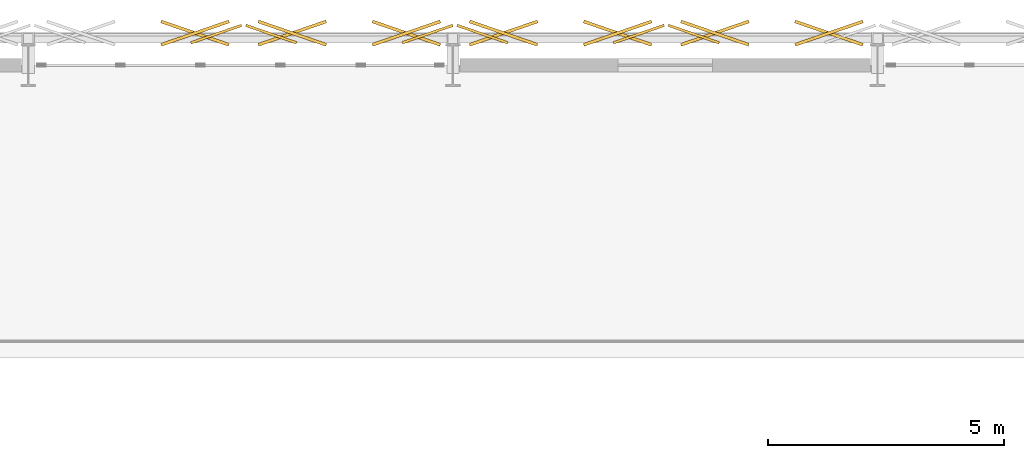
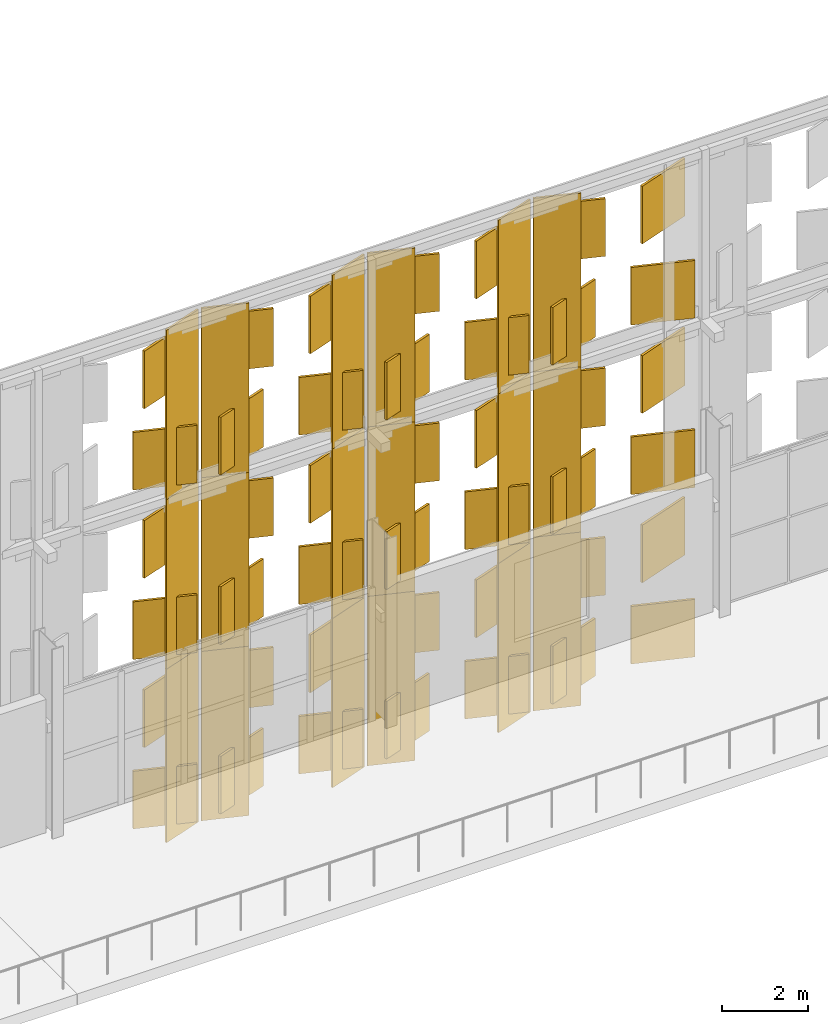
# One storey, part 198 of 210: 60 coverings.
"""IFC4 building model written with IfcOpenShell, lengths in metres."""

from ifc_helpers import new_model, si_unit, direction, frame, origin, origin_2d, place, context, subcontext, project, spatial, rectangle, extrude, material, layer, layer_set, type_object, element, save


model = new_model("IFC4")

# Units and contexts
model_context = context("Model", 3, precision=1e-05, world=origin(), true_north=direction((0.0, 1.0)))
body_context = subcontext(model_context, "Body", "Model", "MODEL_VIEW")
ifc_project = project(units=[si_unit("LENGTHUNIT", "METRE"), si_unit("AREAUNIT", "SQUARE_METRE"), si_unit("VOLUMEUNIT", "CUBIC_METRE"), si_unit("PLANEANGLEUNIT", "RADIAN"), si_unit("MASSUNIT", "GRAM", prefix="KILO")], contexts=[model_context])

# Site, building, storey
site_placement = place(None, origin())
site = spatial("IfcSite", under=ifc_project, at=site_placement, CompositionType="ELEMENT")
building_placement = place(site_placement, origin())
building = spatial("IfcBuilding", under=site, at=building_placement, Name="Kaldris Quays Convention Centre", CompositionType="ELEMENT")
storey_placement = place(building_placement, frame((0.0, 0.0, 6.0)))
storey = spatial("IfcBuildingStorey", under=building, at=storey_placement, Name="L01", CompositionType="ELEMENT", Elevation=6.0)

# Coverings
ifc_material = material(Name="Alabaster white star-pierced anodized aluminium panel", Category="aluminium")
ifc_layer = layer(ifc_material, 0.044921875)
ifc_layer_set = layer_set([ifc_layer], Name="Alabaster white star-pierced anodized aluminium panel")
covering_type = type_object("IfcCoveringType", Name="STAR PIERCED WHITE FOLDED SCREEN CL01", PredefinedType="CLADDING", material=ifc_layer_set)
covering_1_placement = place(storey_placement, frame((68.982177734375, 140.659912109375, -1.91015625), z_axis=(0.0, 0.0, 1.0), x_axis=(0.945518575599, 0.325568154457, 0.0)))
element("IfcCovering", 1, at=covering_1_placement, inside=storey, type_object=covering_type, Name="V1N Folded White Screen Stile 752", PredefinedType="CLADDING", context=body_context, shape_type="SweptSolid", body=[
    extrude(rectangle(XDim=1.136962890625, YDim=0.054931640625, at=origin_2d()), origin(), (0.0, 0.0, 1.0), 4.952880859375),
])
for number, where, z_axis, x_axis, name in (
    (2, (68.5341796875, 140.679931640625, -1.559814453125), (0.0, 0.0, 1.0), (0.945518575599, -0.325568154457, 0.0), "V1N Carved Star Corner Facet 755"),
    (3, (68.5341796875, 140.679931640625, 1.0498046875), (0.0, 0.0, 1.0), (0.945518575599, 0.325568154457, 0.0), "V1N Carved Star Corner Facet 756"),
):
    element("IfcCovering", number, at=place(storey_placement, frame(where, z_axis=z_axis, x_axis=x_axis)), inside=storey, type_object=covering_type, Name=name, PredefinedType="CLADDING", context=body_context, shape_type="SweptSolid", body=[
        extrude(rectangle(XDim=1.52294921875, YDim=0.06494140625, at=origin_2d()), origin(), (0.0, 0.0, 1.0), 1.64306640625),
    ])
covering_2_placement = place(storey_placement, frame((68.982177734375, 140.659912109375, 2.9228515625), z_axis=(0.0, 0.0, 1.0), x_axis=(0.945518575599, 0.325568154457, 0.0)))
element("IfcCovering", 4, at=covering_2_placement, inside=storey, type_object=covering_type, Name="V1N Folded White Screen Stile 758", PredefinedType="CLADDING", context=body_context, shape_type="SweptSolid", body=[
    extrude(rectangle(XDim=1.136962890625, YDim=0.054931640625, at=origin_2d()), origin(), (0.0, 0.0, 1.0), 4.9541015625),
])
for number, where, z_axis, x_axis, name in (
    (5, (68.5341796875, 140.679931640625, 3.272705078125), (0.0, 0.0, 1.0), (0.945518575599, -0.325568154457, 0.0), "V1N Carved Star Corner Facet 761"),
    (6, (68.5341796875, 140.679931640625, 5.883056640625), (0.0, 0.0, 1.0), (0.945518575599, 0.325568154457, 0.0), "V1N Carved Star Corner Facet 762"),
):
    element("IfcCovering", number, at=place(storey_placement, frame(where, z_axis=z_axis, x_axis=x_axis)), inside=storey, type_object=covering_type, Name=name, PredefinedType="CLADDING", context=body_context, shape_type="SweptSolid", body=[
        extrude(rectangle(XDim=1.52294921875, YDim=0.06494140625, at=origin_2d()), origin(), (0.0, 0.0, 1.0), 1.64404296875),
    ])
covering_3_placement = place(storey_placement, frame((68.982177734375, 140.659912109375, 7.7568359375), z_axis=(0.0, 0.0, 1.0), x_axis=(0.945518575599, 0.325568154457, 0.0)))
element("IfcCovering", 7, at=covering_3_placement, inside=storey, type_object=covering_type, Name="V1N Folded White Screen Stile 764", PredefinedType="CLADDING", context=body_context, shape_type="SweptSolid", body=[
    extrude(rectangle(XDim=1.136962890625, YDim=0.054931640625, at=origin_2d()), origin(), (0.0, 0.0, 1.0), 4.952880859375),
])
for number, where, z_axis, x_axis, name in (
    (8, (68.5341796875, 140.679931640625, 8.107177734375), (0.0, 0.0, 1.0), (0.945518575599, -0.325568154457, 0.0), "V1N Carved Star Corner Facet 767"),
    (9, (68.5341796875, 140.679931640625, 10.716796875), (0.0, 0.0, 1.0), (0.945518575599, 0.325568154457, 0.0), "V1N Carved Star Corner Facet 768"),
):
    element("IfcCovering", number, at=place(storey_placement, frame(where, z_axis=z_axis, x_axis=x_axis)), inside=storey, type_object=covering_type, Name=name, PredefinedType="CLADDING", context=body_context, shape_type="SweptSolid", body=[
        extrude(rectangle(XDim=1.52294921875, YDim=0.06494140625, at=origin_2d()), origin(), (0.0, 0.0, 1.0), 1.64306640625),
    ])
for number, where, z_axis, x_axis, name in (
    (10, (70.146484375, 140.659912109375, -1.91015625), (0.0, 0.0, 1.0), (0.945518575599, -0.325568154457, 0.0), "V1N Folded White Screen Stile 769"),
    (11, (73.460693359375, 140.659912109375, -1.91015625), (0.0, 0.0, 1.0), (0.945518575599, 0.325568154457, 0.0), "V1N Folded White Screen Stile 770"),
):
    element("IfcCovering", number, at=place(storey_placement, frame(where, z_axis=z_axis, x_axis=x_axis)), inside=storey, type_object=covering_type, Name=name, PredefinedType="CLADDING", context=body_context, shape_type="SweptSolid", body=[
        extrude(rectangle(XDim=1.136962890625, YDim=0.054931640625, at=origin_2d()), origin(), (0.0, 0.0, 1.0), 4.952880859375),
    ])
for number, where, z_axis, x_axis, name in (
    (12, (70.594482421875, 140.679931640625, -1.559814453125), (0.0, 0.0, 1.0), (0.945518575599, 0.325568154457, 0.0), "V1N Carved Star Corner Facet 771"),
    (13, (70.594482421875, 140.679931640625, 1.0498046875), (0.0, 0.0, 1.0), (0.945518575599, -0.325568154457, 0.0), "V1N Carved Star Corner Facet 772"),
    (14, (73.0126953125, 140.679931640625, -1.559814453125), (0.0, 0.0, 1.0), (0.945518575599, -0.325568154457, 0.0), "V1N Carved Star Corner Facet 773"),
    (15, (73.0126953125, 140.679931640625, 1.0498046875), (0.0, 0.0, 1.0), (0.945518575599, 0.325568154457, 0.0), "V1N Carved Star Corner Facet 774"),
):
    element("IfcCovering", number, at=place(storey_placement, frame(where, z_axis=z_axis, x_axis=x_axis)), inside=storey, type_object=covering_type, Name=name, PredefinedType="CLADDING", context=body_context, shape_type="SweptSolid", body=[
        extrude(rectangle(XDim=1.52294921875, YDim=0.06494140625, at=origin_2d()), origin(), (0.0, 0.0, 1.0), 1.64306640625),
    ])
for number, where, z_axis, x_axis, name in (
    (16, (70.146484375, 140.659912109375, 2.9228515625), (0.0, 0.0, 1.0), (0.945518575599, -0.325568154457, 0.0), "V1N Folded White Screen Stile 775"),
    (17, (73.460693359375, 140.659912109375, 2.9228515625), (0.0, 0.0, 1.0), (0.945518575599, 0.325568154457, 0.0), "V1N Folded White Screen Stile 776"),
):
    element("IfcCovering", number, at=place(storey_placement, frame(where, z_axis=z_axis, x_axis=x_axis)), inside=storey, type_object=covering_type, Name=name, PredefinedType="CLADDING", context=body_context, shape_type="SweptSolid", body=[
        extrude(rectangle(XDim=1.136962890625, YDim=0.054931640625, at=origin_2d()), origin(), (0.0, 0.0, 1.0), 4.9541015625),
    ])
for number, where, z_axis, x_axis, name in (
    (18, (70.594482421875, 140.679931640625, 3.272705078125), (0.0, 0.0, 1.0), (0.945518575599, 0.325568154457, 0.0), "V1N Carved Star Corner Facet 777"),
    (19, (70.594482421875, 140.679931640625, 5.883056640625), (0.0, 0.0, 1.0), (0.945518575599, -0.325568154457, 0.0), "V1N Carved Star Corner Facet 778"),
    (20, (73.0126953125, 140.679931640625, 3.272705078125), (0.0, 0.0, 1.0), (0.945518575599, -0.325568154457, 0.0), "V1N Carved Star Corner Facet 779"),
    (21, (73.0126953125, 140.679931640625, 5.883056640625), (0.0, 0.0, 1.0), (0.945518575599, 0.325568154457, 0.0), "V1N Carved Star Corner Facet 780"),
):
    element("IfcCovering", number, at=place(storey_placement, frame(where, z_axis=z_axis, x_axis=x_axis)), inside=storey, type_object=covering_type, Name=name, PredefinedType="CLADDING", context=body_context, shape_type="SweptSolid", body=[
        extrude(rectangle(XDim=1.52294921875, YDim=0.06494140625, at=origin_2d()), origin(), (0.0, 0.0, 1.0), 1.64404296875),
    ])
for number, where, z_axis, x_axis, name in (
    (22, (70.146484375, 140.659912109375, 7.7568359375), (0.0, 0.0, 1.0), (0.945518575599, -0.325568154457, 0.0), "V1N Folded White Screen Stile 781"),
    (23, (73.460693359375, 140.659912109375, 7.7568359375), (0.0, 0.0, 1.0), (0.945518575599, 0.325568154457, 0.0), "V1N Folded White Screen Stile 782"),
):
    element("IfcCovering", number, at=place(storey_placement, frame(where, z_axis=z_axis, x_axis=x_axis)), inside=storey, type_object=covering_type, Name=name, PredefinedType="CLADDING", context=body_context, shape_type="SweptSolid", body=[
        extrude(rectangle(XDim=1.136962890625, YDim=0.054931640625, at=origin_2d()), origin(), (0.0, 0.0, 1.0), 4.952880859375),
    ])
for number, where, z_axis, x_axis, name in (
    (24, (70.594482421875, 140.679931640625, 8.107177734375), (0.0, 0.0, 1.0), (0.945518575599, 0.325568154457, 0.0), "V1N Carved Star Corner Facet 783"),
    (25, (70.594482421875, 140.679931640625, 10.716796875), (0.0, 0.0, 1.0), (0.945518575599, -0.325568154457, 0.0), "V1N Carved Star Corner Facet 784"),
    (26, (73.0126953125, 140.679931640625, 8.107177734375), (0.0, 0.0, 1.0), (0.945518575599, -0.325568154457, 0.0), "V1N Carved Star Corner Facet 785"),
    (27, (73.0126953125, 140.679931640625, 10.716796875), (0.0, 0.0, 1.0), (0.945518575599, 0.325568154457, 0.0), "V1N Carved Star Corner Facet 786"),
):
    element("IfcCovering", number, at=place(storey_placement, frame(where, z_axis=z_axis, x_axis=x_axis)), inside=storey, type_object=covering_type, Name=name, PredefinedType="CLADDING", context=body_context, shape_type="SweptSolid", body=[
        extrude(rectangle(XDim=1.52294921875, YDim=0.06494140625, at=origin_2d()), origin(), (0.0, 0.0, 1.0), 1.64306640625),
    ])
for number, where, z_axis, x_axis, name in (
    (28, (74.625, 140.659912109375, -1.91015625), (0.0, 0.0, 1.0), (0.945518575599, -0.325568154457, 0.0), "V1N Folded White Screen Stile 787"),
    (29, (77.939208984375, 140.659912109375, -1.91015625), (0.0, 0.0, 1.0), (0.945518575599, 0.325568154457, 0.0), "V1N Folded White Screen Stile 788"),
):
    element("IfcCovering", number, at=place(storey_placement, frame(where, z_axis=z_axis, x_axis=x_axis)), inside=storey, type_object=covering_type, Name=name, PredefinedType="CLADDING", context=body_context, shape_type="SweptSolid", body=[
        extrude(rectangle(XDim=1.136962890625, YDim=0.054931640625, at=origin_2d()), origin(), (0.0, 0.0, 1.0), 4.952880859375),
    ])
for number, where, z_axis, x_axis, name in (
    (30, (75.072998046875, 140.679931640625, -1.559814453125), (0.0, 0.0, 1.0), (0.945518575599, 0.325568154457, 0.0), "V1N Carved Star Corner Facet 789"),
    (31, (75.072998046875, 140.679931640625, 1.0498046875), (0.0, 0.0, 1.0), (0.945518575599, -0.325568154457, 0.0), "V1N Carved Star Corner Facet 790"),
    (32, (77.491455078125, 140.679931640625, -1.559814453125), (0.0, 0.0, 1.0), (0.945518575599, -0.325568154457, 0.0), "V1N Carved Star Corner Facet 791"),
    (33, (77.491455078125, 140.679931640625, 1.0498046875), (0.0, 0.0, 1.0), (0.945518575599, 0.325568154457, 0.0), "V1N Carved Star Corner Facet 792"),
):
    element("IfcCovering", number, at=place(storey_placement, frame(where, z_axis=z_axis, x_axis=x_axis)), inside=storey, type_object=covering_type, Name=name, PredefinedType="CLADDING", context=body_context, shape_type="SweptSolid", body=[
        extrude(rectangle(XDim=1.52294921875, YDim=0.06494140625, at=origin_2d()), origin(), (0.0, 0.0, 1.0), 1.64306640625),
    ])
for number, where, z_axis, x_axis, name in (
    (34, (74.625, 140.659912109375, 2.9228515625), (0.0, 0.0, 1.0), (0.945518575599, -0.325568154457, 0.0), "V1N Folded White Screen Stile 793"),
    (35, (77.939208984375, 140.659912109375, 2.9228515625), (0.0, 0.0, 1.0), (0.945518575599, 0.325568154457, 0.0), "V1N Folded White Screen Stile 794"),
):
    element("IfcCovering", number, at=place(storey_placement, frame(where, z_axis=z_axis, x_axis=x_axis)), inside=storey, type_object=covering_type, Name=name, PredefinedType="CLADDING", context=body_context, shape_type="SweptSolid", body=[
        extrude(rectangle(XDim=1.136962890625, YDim=0.054931640625, at=origin_2d()), origin(), (0.0, 0.0, 1.0), 4.9541015625),
    ])
for number, where, z_axis, x_axis, name in (
    (36, (75.072998046875, 140.679931640625, 3.272705078125), (0.0, 0.0, 1.0), (0.945518575599, 0.325568154457, 0.0), "V1N Carved Star Corner Facet 795"),
    (37, (75.072998046875, 140.679931640625, 5.883056640625), (0.0, 0.0, 1.0), (0.945518575599, -0.325568154457, 0.0), "V1N Carved Star Corner Facet 796"),
    (38, (77.491455078125, 140.679931640625, 3.272705078125), (0.0, 0.0, 1.0), (0.945518575599, -0.325568154457, 0.0), "V1N Carved Star Corner Facet 797"),
    (39, (77.491455078125, 140.679931640625, 5.883056640625), (0.0, 0.0, 1.0), (0.945518575599, 0.325568154457, 0.0), "V1N Carved Star Corner Facet 798"),
):
    element("IfcCovering", number, at=place(storey_placement, frame(where, z_axis=z_axis, x_axis=x_axis)), inside=storey, type_object=covering_type, Name=name, PredefinedType="CLADDING", context=body_context, shape_type="SweptSolid", body=[
        extrude(rectangle(XDim=1.52294921875, YDim=0.06494140625, at=origin_2d()), origin(), (0.0, 0.0, 1.0), 1.64404296875),
    ])
for number, where, z_axis, x_axis, name in (
    (40, (74.625, 140.659912109375, 7.7568359375), (0.0, 0.0, 1.0), (0.945518575599, -0.325568154457, 0.0), "V1N Folded White Screen Stile 799"),
    (41, (77.939208984375, 140.659912109375, 7.7568359375), (0.0, 0.0, 1.0), (0.945518575599, 0.325568154457, 0.0), "V1N Folded White Screen Stile 800"),
):
    element("IfcCovering", number, at=place(storey_placement, frame(where, z_axis=z_axis, x_axis=x_axis)), inside=storey, type_object=covering_type, Name=name, PredefinedType="CLADDING", context=body_context, shape_type="SweptSolid", body=[
        extrude(rectangle(XDim=1.136962890625, YDim=0.054931640625, at=origin_2d()), origin(), (0.0, 0.0, 1.0), 4.952880859375),
    ])
for number, where, z_axis, x_axis, name in (
    (42, (75.072998046875, 140.679931640625, 8.107177734375), (0.0, 0.0, 1.0), (0.945518575599, 0.325568154457, 0.0), "V1N Carved Star Corner Facet 801"),
    (43, (75.072998046875, 140.679931640625, 10.716796875), (0.0, 0.0, 1.0), (0.945518575599, -0.325568154457, 0.0), "V1N Carved Star Corner Facet 802"),
    (44, (77.491455078125, 140.679931640625, 8.107177734375), (0.0, 0.0, 1.0), (0.945518575599, -0.325568154457, 0.0), "V1N Carved Star Corner Facet 803"),
    (45, (77.491455078125, 140.679931640625, 10.716796875), (0.0, 0.0, 1.0), (0.945518575599, 0.325568154457, 0.0), "V1N Carved Star Corner Facet 804"),
):
    element("IfcCovering", number, at=place(storey_placement, frame(where, z_axis=z_axis, x_axis=x_axis)), inside=storey, type_object=covering_type, Name=name, PredefinedType="CLADDING", context=body_context, shape_type="SweptSolid", body=[
        extrude(rectangle(XDim=1.52294921875, YDim=0.06494140625, at=origin_2d()), origin(), (0.0, 0.0, 1.0), 1.64306640625),
    ])
covering_4_placement = place(storey_placement, frame((79.103515625, 140.659912109375, -1.91015625), z_axis=(0.0, 0.0, 1.0), x_axis=(0.945518575599, -0.325568154457, 0.0)))
element("IfcCovering", 46, at=covering_4_placement, inside=storey, type_object=covering_type, Name="V1N Folded White Screen Stile 805", PredefinedType="CLADDING", context=body_context, shape_type="SweptSolid", body=[
    extrude(rectangle(XDim=1.136962890625, YDim=0.054931640625, at=origin_2d()), origin(), (0.0, 0.0, 1.0), 4.952880859375),
])
for number, where, z_axis, x_axis, name in (
    (47, (79.551513671875, 140.679931640625, -1.559814453125), (0.0, 0.0, 1.0), (0.945518575599, 0.325568154457, 0.0), "V1N Carved Star Corner Facet 807"),
    (48, (79.551513671875, 140.679931640625, 1.0498046875), (0.0, 0.0, 1.0), (0.945518575599, -0.325568154457, 0.0), "V1N Carved Star Corner Facet 808"),
    (49, (81.969970703125, 140.679931640625, -1.559814453125), (0.0, 0.0, 1.0), (0.945518575599, -0.325568154457, 0.0), "V1N Carved Star Corner Facet 809"),
    (50, (81.969970703125, 140.679931640625, 1.0498046875), (0.0, 0.0, 1.0), (0.945518575599, 0.325568154457, 0.0), "V1N Carved Star Corner Facet 810"),
):
    element("IfcCovering", number, at=place(storey_placement, frame(where, z_axis=z_axis, x_axis=x_axis)), inside=storey, type_object=covering_type, Name=name, PredefinedType="CLADDING", context=body_context, shape_type="SweptSolid", body=[
        extrude(rectangle(XDim=1.52294921875, YDim=0.06494140625, at=origin_2d()), origin(), (0.0, 0.0, 1.0), 1.64306640625),
    ])
covering_5_placement = place(storey_placement, frame((79.103515625, 140.659912109375, 2.9228515625), z_axis=(0.0, 0.0, 1.0), x_axis=(0.945518575599, -0.325568154457, 0.0)))
element("IfcCovering", 51, at=covering_5_placement, inside=storey, type_object=covering_type, Name="V1N Folded White Screen Stile 811", PredefinedType="CLADDING", context=body_context, shape_type="SweptSolid", body=[
    extrude(rectangle(XDim=1.136962890625, YDim=0.054931640625, at=origin_2d()), origin(), (0.0, 0.0, 1.0), 4.9541015625),
])
for number, where, z_axis, x_axis, name in (
    (52, (79.551513671875, 140.679931640625, 3.272705078125), (0.0, 0.0, 1.0), (0.945518575599, 0.325568154457, 0.0), "V1N Carved Star Corner Facet 813"),
    (53, (79.551513671875, 140.679931640625, 5.883056640625), (0.0, 0.0, 1.0), (0.945518575599, -0.325568154457, 0.0), "V1N Carved Star Corner Facet 814"),
    (54, (81.969970703125, 140.679931640625, 3.272705078125), (0.0, 0.0, 1.0), (0.945518575599, -0.325568154457, 0.0), "V1N Carved Star Corner Facet 815"),
    (55, (81.969970703125, 140.679931640625, 5.883056640625), (0.0, 0.0, 1.0), (0.945518575599, 0.325568154457, 0.0), "V1N Carved Star Corner Facet 816"),
):
    element("IfcCovering", number, at=place(storey_placement, frame(where, z_axis=z_axis, x_axis=x_axis)), inside=storey, type_object=covering_type, Name=name, PredefinedType="CLADDING", context=body_context, shape_type="SweptSolid", body=[
        extrude(rectangle(XDim=1.52294921875, YDim=0.06494140625, at=origin_2d()), origin(), (0.0, 0.0, 1.0), 1.64404296875),
    ])
covering_6_placement = place(storey_placement, frame((79.103515625, 140.659912109375, 7.7568359375), z_axis=(0.0, 0.0, 1.0), x_axis=(0.945518575599, -0.325568154457, 0.0)))
element("IfcCovering", 56, at=covering_6_placement, inside=storey, type_object=covering_type, Name="V1N Folded White Screen Stile 817", PredefinedType="CLADDING", context=body_context, shape_type="SweptSolid", body=[
    extrude(rectangle(XDim=1.136962890625, YDim=0.054931640625, at=origin_2d()), origin(), (0.0, 0.0, 1.0), 4.952880859375),
])
for number, where, z_axis, x_axis, name in (
    (57, (79.551513671875, 140.679931640625, 8.107177734375), (0.0, 0.0, 1.0), (0.945518575599, 0.325568154457, 0.0), "V1N Carved Star Corner Facet 819"),
    (58, (79.551513671875, 140.679931640625, 10.716796875), (0.0, 0.0, 1.0), (0.945518575599, -0.325568154457, 0.0), "V1N Carved Star Corner Facet 820"),
    (59, (81.969970703125, 140.679931640625, 8.107177734375), (0.0, 0.0, 1.0), (0.945518575599, -0.325568154457, 0.0), "V1N Carved Star Corner Facet 821"),
    (60, (81.969970703125, 140.679931640625, 10.716796875), (0.0, 0.0, 1.0), (0.945518575599, 0.325568154457, 0.0), "V1N Carved Star Corner Facet 822"),
):
    element("IfcCovering", number, at=place(storey_placement, frame(where, z_axis=z_axis, x_axis=x_axis)), inside=storey, type_object=covering_type, Name=name, PredefinedType="CLADDING", context=body_context, shape_type="SweptSolid", body=[
        extrude(rectangle(XDim=1.52294921875, YDim=0.06494140625, at=origin_2d()), origin(), (0.0, 0.0, 1.0), 1.64306640625),
    ])

save(model, "model.ifc")
